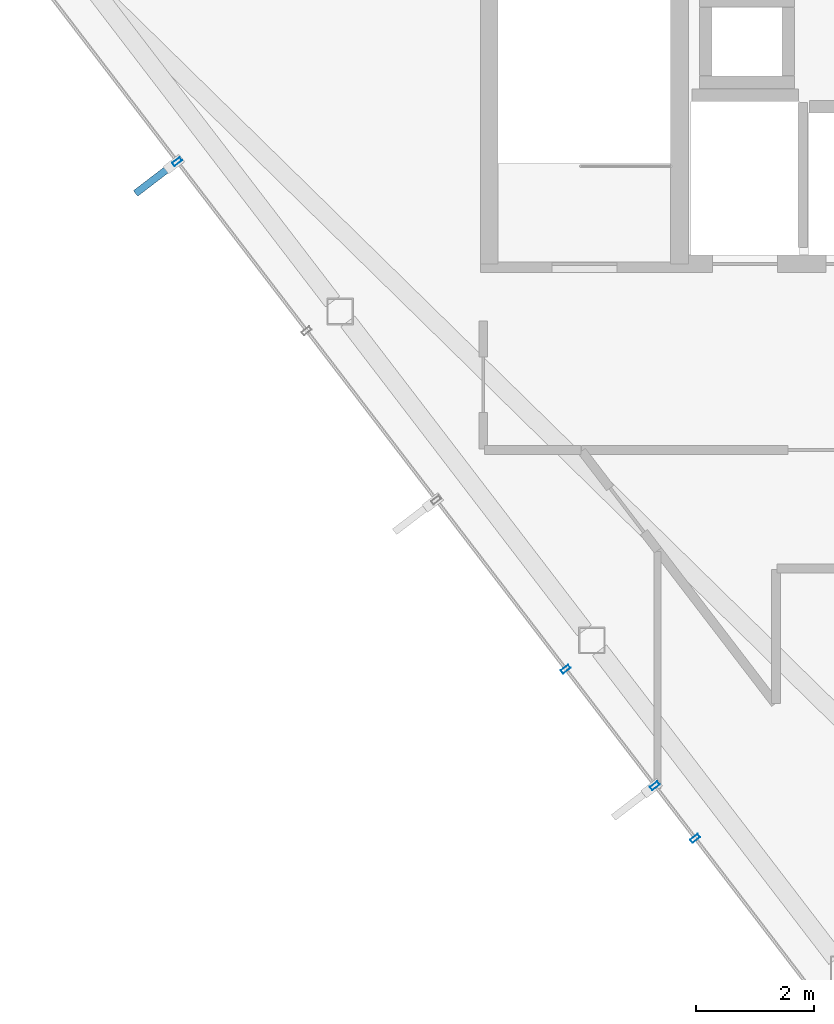
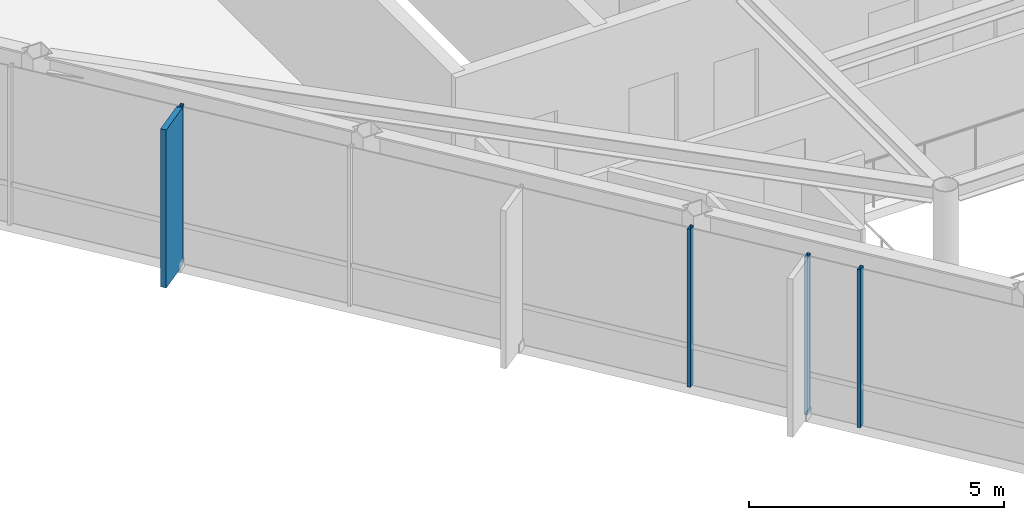
# One storey, part 2 of 21: 5 members, 1 element without a shape of its own.
"""IFC4 building model written with IfcOpenShell, lengths in metres."""

from ifc_helpers import new_model, si_unit, direction, frame, origin, origin_2d, place, context, subcontext, project, spatial, rectangle, hollow_rectangle, extrude, material, layer, layer_set, material_profile, profile_set, type_object, element, aggregate, save


model = new_model("IFC4")

# Units and contexts
model_context = context("Model", 3, precision=1e-05, world=origin(), true_north=direction((0.0, 1.0)))
body_context = subcontext(model_context, "Body", "Model", "MODEL_VIEW")
ifc_project = project(units=[si_unit("LENGTHUNIT", "METRE"), si_unit("AREAUNIT", "SQUARE_METRE"), si_unit("VOLUMEUNIT", "CUBIC_METRE"), si_unit("PLANEANGLEUNIT", "RADIAN"), si_unit("MASSUNIT", "GRAM", prefix="KILO")], contexts=[model_context])

# Site, building, storey
site_placement = place(None, origin())
site = spatial("IfcSite", under=ifc_project, at=site_placement, CompositionType="ELEMENT")
building_placement = place(site_placement, origin())
building = spatial("IfcBuilding", under=site, at=building_placement, Name="Zarrinselat Tower", CompositionType="ELEMENT")
storey_placement = place(building_placement, frame((0.0, 0.0, 299.199951171875)))
storey = spatial("IfcBuildingStorey", under=building, at=storey_placement, Name="L77", CompositionType="ELEMENT", Elevation=299.199951171875)

# Curtain wall, members
ifc_material_1 = material(Name="Extruded Aluminium Alloy EN AW-6063 T6", Category="aluminium")
ifc_layer = layer(ifc_material_1, 0.169921875)
ifc_layer_set = layer_set([ifc_layer], Name="Extruded Aluminium Alloy EN AW-6063 T6")
curtain_wall_type = type_object("IfcCurtainWallType", Name="CWS-RES", PredefinedType="NOTDEFINED", material=ifc_layer_set)
curtain_wall_placement = place(storey_placement, origin())
curtain_wall = element("IfcCurtainWall", 1, at=curtain_wall_placement, inside=storey, type_object=curtain_wall_type, Name="L77 Unitised Curtain Wall CW-L77-E03", PredefinedType="NOTDEFINED")
ifc_material_2 = material(Name="Extruded Aluminium Alloy EN AW-6063 T6", Category="aluminium")
ifc_material_profile_1 = material_profile(ifc_material_2, hollow_rectangle(XDim=0.070068359375, YDim=0.159912109375, WallThickness=0.00390625, at=origin_2d()), Name="RHS 160x70x4")
ifc_profile_set_1 = profile_set([ifc_material_profile_1], Name="Extruded Aluminium Alloy EN AW-6063 T6")
member_type_1 = type_object("IfcMemberType", Name="MEM-CW-MUL2", PredefinedType="MULLION", material=ifc_profile_set_1)
member_1_placement = place(storey_placement, frame((23.37158203125, 35.028564453125, 0.0), z_axis=(0.0, 0.0, 1.0), x_axis=(0.607898371255, -0.794014842572, 0.0)))
member_1 = element("IfcMember", 2, at=member_1_placement, type_object=member_type_1, Name="CW-L77-E03 Mullion 3", PredefinedType="MULLION", context=body_context, shape_type="SweptSolid", body=[
    extrude(hollow_rectangle(XDim=0.070068359375, YDim=0.159912109375, WallThickness=0.00390625, at=origin_2d()), origin(), (0.0, 0.0, 1.0), 3.780029296875),
])
member_2_placement = place(storey_placement, frame((29.94287109375, 26.4453125, 0.0), z_axis=(0.0, 0.0, 1.0), x_axis=(0.607898371255, -0.794014842572, 0.0)))
member_2 = element("IfcMember", 3, at=member_2_placement, type_object=member_type_1, Name="CW-L77-E03 Mullion 6", PredefinedType="MULLION", context=body_context, shape_type="SweptSolid", body=[
    extrude(hollow_rectangle(XDim=0.070068359375, YDim=0.159912109375, WallThickness=0.00390625, at=origin_2d()), origin(), (0.0, 0.0, 1.0), 3.780029296875),
])
member_3_placement = place(storey_placement, frame((31.452392578125, 24.4736328125, 0.0), z_axis=(0.0, 0.0, 1.0), x_axis=(0.607898371255, -0.794014842572, 0.0)))
member_3 = element("IfcMember", 4, at=member_3_placement, type_object=member_type_1, Name="CW-L77-E03 Mullion 7", PredefinedType="MULLION", context=body_context, shape_type="SweptSolid", body=[
    extrude(hollow_rectangle(XDim=0.070068359375, YDim=0.159912109375, WallThickness=0.00390625, at=origin_2d()), origin(), (0.0, 0.0, 1.0), 3.780029296875),
])
member_4_placement = place(storey_placement, frame((32.13330078125, 23.584228515625, 0.0), z_axis=(0.0, 0.0, 1.0), x_axis=(0.607898371255, -0.794014842572, 0.0)))
member_4 = element("IfcMember", 5, at=member_4_placement, type_object=member_type_1, Name="CW-L77-E03 Mullion 8", PredefinedType="MULLION", context=body_context, shape_type="SweptSolid", body=[
    extrude(hollow_rectangle(XDim=0.070068359375, YDim=0.159912109375, WallThickness=0.00390625, at=origin_2d()), origin(), (0.0, 0.0, 1.0), 3.780029296875),
])
ifc_material_3 = material(Name="Honed Cream Travertine Stone", Category="masonry")
ifc_material_profile_2 = material_profile(ifc_material_3, rectangle(XDim=0.1201171875, YDim=0.85009765625, at=origin_2d()), Name="FIN 850x120")
ifc_profile_set_2 = profile_set([ifc_material_profile_2], Name="Honed Cream Travertine Stone")
member_type_2 = type_object("IfcMemberType", Name="MEM-STONE-FIN", PredefinedType="USERDEFINED", material=ifc_profile_set_2)
member_5_placement = place(storey_placement, frame((23.00634765625, 34.748779296875, 0.0), z_axis=(0.0, 0.0, 1.0), x_axis=(-0.607898371255, 0.794014842572, 0.0)))
member_5 = element("IfcMember", 6, at=member_5_placement, type_object=member_type_2, Name="L77 Stone Shading Fin CW-L77-E03-03", ObjectType="FIN", PredefinedType="USERDEFINED", context=body_context, shape_type="SweptSolid", body=[
    extrude(rectangle(XDim=0.1201171875, YDim=0.85009765625, at=origin_2d()), origin(), (0.0, 0.0, 1.0), 3.780029296875),
])
aggregate(curtain_wall, [member_1, member_5, member_2, member_3, member_4])

save(model, "model.ifc")
